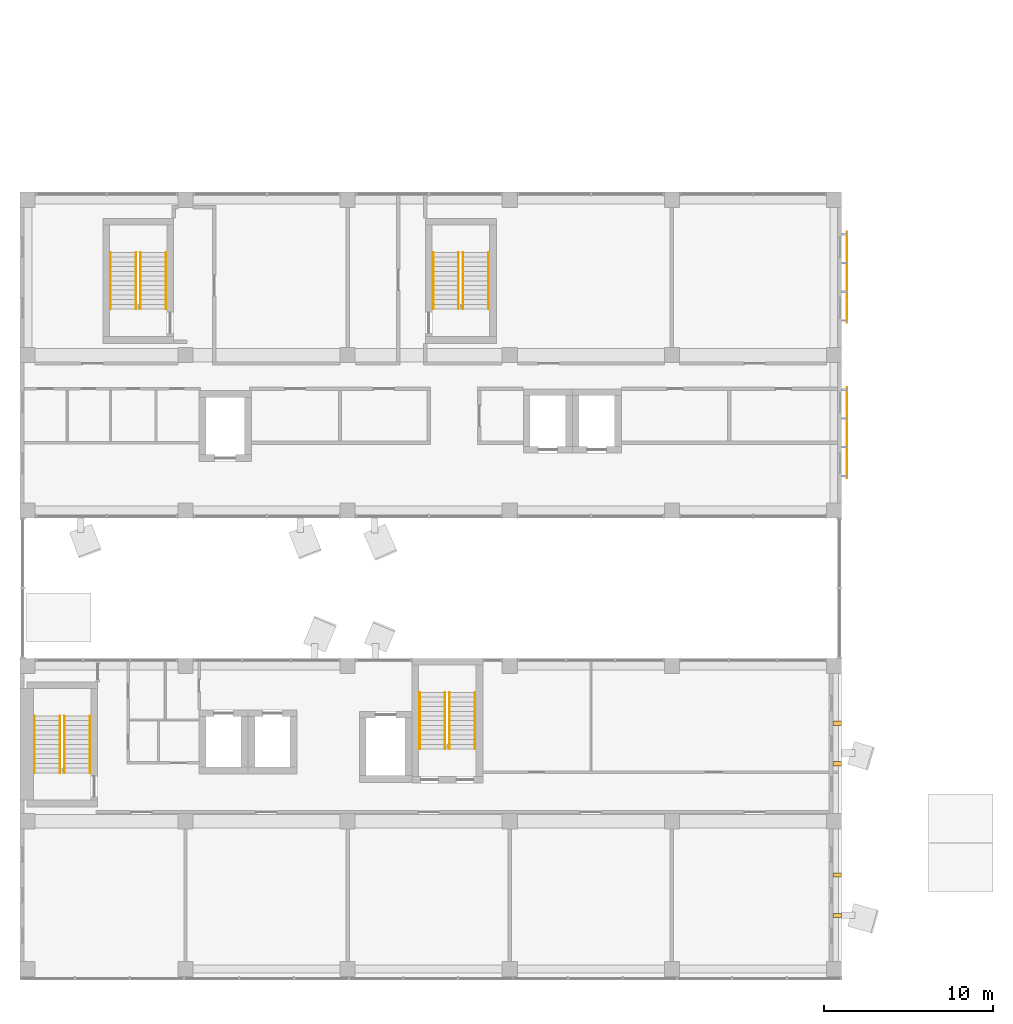
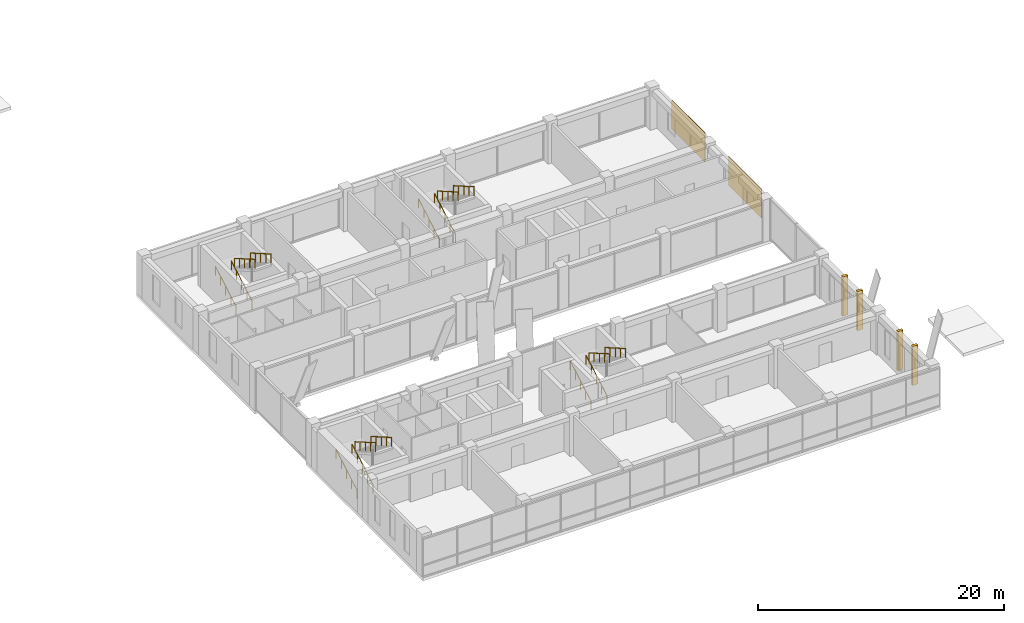
# One storey, part 31 of 36: 16 railings, 6 shading devices.
"""IFC4 building model written with IfcOpenShell, lengths in metres."""

from ifc_helpers import new_model, si_unit, direction, frame, origin, origin_2d, place, context, subcontext, project, spatial, rectangle, circle, extrude, material, type_object, element, save


model = new_model("IFC4")

# Units and contexts
model_context = context("Model", 3, precision=1e-05, world=origin(), true_north=direction((0.0, 1.0)))
body_context = subcontext(model_context, "Body", "Model", "MODEL_VIEW")
ifc_project = project(units=[si_unit("LENGTHUNIT", "METRE"), si_unit("AREAUNIT", "SQUARE_METRE"), si_unit("VOLUMEUNIT", "CUBIC_METRE"), si_unit("PLANEANGLEUNIT", "RADIAN"), si_unit("MASSUNIT", "GRAM", prefix="KILO")], contexts=[model_context])

# Site, building, storey
site_placement = place(None, origin())
site = spatial("IfcSite", under=ifc_project, at=site_placement, CompositionType="ELEMENT")
building_placement = place(site_placement, origin())
building = spatial("IfcBuilding", under=site, at=building_placement, Name="Nzadi Deep Aquarium and Research Tower", CompositionType="ELEMENT")
storey_placement = place(building_placement, frame((0.0, 0.0, 36.10009765625)))
storey = spatial("IfcBuildingStorey", under=building, at=storey_placement, Name="L06", CompositionType="ELEMENT", Elevation=36.10009765625)

# Shading devices
ifc_material_1 = material(Name="Concrete C35/45", Category="concrete")
shading_device_type_1 = type_object("IfcShadingDeviceType", Name="Fin board-formed concrete 250 deep", PredefinedType="USERDEFINED", material=ifc_material_1)
for number, where, z_axis, x_axis, name in (
    (1, (48.199951171875, 3.625, 0.0), (0.0, 0.0, 1.0), (1.0, 0.0, 0.0), "Fin blade A east L06"),
    (2, (48.199951171875, 6.02490234375, 0.0), (0.0, 0.0, 1.0), (1.0, 0.0, 0.0), "Fin blade A east L06"),
    (3, (48.199951171875, 12.60009765625, 0.0), (0.0, 0.0, 1.0), (1.0, 0.0, 0.0), "Fin blade A east L06"),
    (4, (48.199951171875, 15.0, 0.0), (0.0, 0.0, 1.0), (1.0, 0.0, 0.0), "Fin blade A east L06"),
):
    element("IfcShadingDevice", number, at=place(storey_placement, frame(where, z_axis=z_axis, x_axis=x_axis)), inside=storey, type_object=shading_device_type_1, Name=name, ObjectType="Fin", PredefinedType="USERDEFINED", context=body_context, shape_type="SweptSolid", body=[
        extrude(rectangle(XDim=0.5, YDim=0.25, at=origin_2d()), origin(), (0.0, 0.0, 1.0), 3.89990234375),
    ])

# Railings
ifc_material_2 = material(Name="Stainless steel 1.4301", Category="steel")
railing_type = type_object("IfcRailingType", Name="HANDRAIL 900", PredefinedType="HANDRAIL", material=ifc_material_2)
for number, where, name in (
    (5, (0.659912109375, 12.070068359375, 0.161376953125), "HR-ST-Z1-SW-L06-F1"),
    (6, (2.1650390625, 12.070068359375, 0.161376953125), "HR-ST-Z1-SW-L06-F1W"),
):
    element("IfcRailing", number, at=place(storey_placement, frame(where)), inside=storey, type_object=railing_type, Name=name, PredefinedType="HANDRAIL", context=body_context, shape_type="SweptSolid", body=[
        extrude(circle(Radius=0.02392578125, at=origin_2d()), frame((0.0, 0.0, 0.8759765625), z_axis=(0.0, 0.866175107563, 0.499740615757), x_axis=(-1.0, 0.0, 0.0)), (0.0, 0.0, 1.0), 3.87890625),
        extrude(circle(Radius=0.02099609375, at=origin_2d()), origin(), (0.0, 0.0, 1.0), 0.851806640625),
        extrude(circle(Radius=0.02099609375, at=origin_2d()), frame((0.0, 0.83984375, 0.484619140625)), (0.0, 0.0, 1.0), 0.851806640625),
        extrude(circle(Radius=0.02099609375, at=origin_2d()), frame((0.0, 1.679931640625, 0.96923828125)), (0.0, 0.0, 1.0), 0.851806640625),
        extrude(circle(Radius=0.02099609375, at=origin_2d()), frame((0.0, 2.52001953125, 1.453857421875)), (0.0, 0.0, 1.0), 0.851806640625),
        extrude(circle(Radius=0.02099609375, at=origin_2d()), frame((0.0, 3.35986328125, 1.9384765625)), (0.0, 0.0, 1.0), 0.851806640625),
    ])
for number, where, name in (
    (7, (3.93994140625, 15.429931640625, 2.261474609375), "HR-ST-Z1-SW-L06-F2"),
    (8, (2.43505859375, 15.429931640625, 2.261474609375), "HR-ST-Z1-SW-L06-F2W"),
):
    element("IfcRailing", number, at=place(storey_placement, frame(where)), inside=storey, type_object=railing_type, Name=name, PredefinedType="HANDRAIL", context=body_context, shape_type="SweptSolid", body=[
        extrude(circle(Radius=0.02392578125, at=origin_2d()), frame((0.0, 0.0, 0.8759765625), z_axis=(0.0, -0.866175107563, 0.499740615757), x_axis=(1.0, 0.0, 0.0)), (0.0, 0.0, 1.0), 3.87890625),
        extrude(circle(Radius=0.02099609375, at=origin_2d()), origin(), (0.0, 0.0, 1.0), 0.851806640625),
        extrude(circle(Radius=0.02099609375, at=origin_2d()), frame((0.0, -0.83984375, 0.484619140625)), (0.0, 0.0, 1.0), 0.851806640625),
        extrude(circle(Radius=0.02099609375, at=origin_2d()), frame((0.0, -1.679931640625, 0.96923828125)), (0.0, 0.0, 1.0), 0.851806640625),
        extrude(circle(Radius=0.02099609375, at=origin_2d()), frame((0.0, -2.52001953125, 1.453857421875)), (0.0, 0.0, 1.0), 0.851806640625),
        extrude(circle(Radius=0.02099609375, at=origin_2d()), frame((0.0, -3.35986328125, 1.9384765625)), (0.0, 0.0, 1.0), 0.851806640625),
    ])
for number, where, name in (
    (9, (23.4599609375, 13.469970703125, 0.161376953125), "HR-ST-Z1-SE-L06-F1"),
    (10, (24.965087890625, 13.469970703125, 0.161376953125), "HR-ST-Z1-SE-L06-F1W"),
):
    element("IfcRailing", number, at=place(storey_placement, frame(where)), inside=storey, type_object=railing_type, Name=name, PredefinedType="HANDRAIL", context=body_context, shape_type="SweptSolid", body=[
        extrude(circle(Radius=0.02392578125, at=origin_2d()), frame((0.0, 0.0, 0.8759765625), z_axis=(0.0, 0.866190824863, 0.499713372768), x_axis=(-1.0, 0.0, 0.0)), (0.0, 0.0, 1.0), 3.879150390625),
        extrude(circle(Radius=0.02099609375, at=origin_2d()), origin(), (0.0, 0.0, 1.0), 0.851806640625),
        extrude(circle(Radius=0.02099609375, at=origin_2d()), frame((0.0, 0.840087890625, 0.484619140625)), (0.0, 0.0, 1.0), 0.851806640625),
        extrude(circle(Radius=0.02099609375, at=origin_2d()), frame((0.0, 1.68017578125, 0.96923828125)), (0.0, 0.0, 1.0), 0.851806640625),
        extrude(circle(Radius=0.02099609375, at=origin_2d()), frame((0.0, 2.52001953125, 1.453857421875)), (0.0, 0.0, 1.0), 0.851806640625),
        extrude(circle(Radius=0.02099609375, at=origin_2d()), frame((0.0, 3.360107421875, 1.9384765625)), (0.0, 0.0, 1.0), 0.851806640625),
    ])
for number, where, name in (
    (11, (26.739990234375, 16.830078125, 2.261474609375), "HR-ST-Z1-SE-L06-F2"),
    (12, (25.235107421875, 16.830078125, 2.261474609375), "HR-ST-Z1-SE-L06-F2W"),
):
    element("IfcRailing", number, at=place(storey_placement, frame(where)), inside=storey, type_object=railing_type, Name=name, PredefinedType="HANDRAIL", context=body_context, shape_type="SweptSolid", body=[
        extrude(circle(Radius=0.02392578125, at=origin_2d()), frame((0.0, 0.0, 0.8759765625), z_axis=(0.0, -0.866190824863, 0.499713372768), x_axis=(1.0, 0.0, 0.0)), (0.0, 0.0, 1.0), 3.879150390625),
        extrude(circle(Radius=0.02099609375, at=origin_2d()), origin(), (0.0, 0.0, 1.0), 0.851806640625),
        extrude(circle(Radius=0.02099609375, at=origin_2d()), frame((0.0, -0.840087890625, 0.484619140625)), (0.0, 0.0, 1.0), 0.851806640625),
        extrude(circle(Radius=0.02099609375, at=origin_2d()), frame((0.0, -1.68017578125, 0.96923828125)), (0.0, 0.0, 1.0), 0.851806640625),
        extrude(circle(Radius=0.02099609375, at=origin_2d()), frame((0.0, -2.52001953125, 1.453857421875)), (0.0, 0.0, 1.0), 0.851806640625),
        extrude(circle(Radius=0.02099609375, at=origin_2d()), frame((0.0, -3.360107421875, 1.9384765625)), (0.0, 0.0, 1.0), 0.851806640625),
    ])
for number, where, name in (
    (13, (5.159912109375, 39.52001953125, 0.161376953125), "HR-ST-Z1-NW-L06-F1"),
    (14, (6.6650390625, 39.52001953125, 0.161376953125), "HR-ST-Z1-NW-L06-F1W"),
):
    element("IfcRailing", number, at=place(storey_placement, frame(where)), inside=storey, type_object=railing_type, Name=name, PredefinedType="HANDRAIL", context=body_context, shape_type="SweptSolid", body=[
        extrude(circle(Radius=0.02392578125, at=origin_2d()), frame((0.0, 0.0, 0.8759765625), z_axis=(0.0, 0.866175107563, 0.499740615757), x_axis=(-1.0, 0.0, 0.0)), (0.0, 0.0, 1.0), 3.87890625),
        extrude(circle(Radius=0.02099609375, at=origin_2d()), origin(), (0.0, 0.0, 1.0), 0.851806640625),
        extrude(circle(Radius=0.02099609375, at=origin_2d()), frame((0.0, 0.83984375, 0.484619140625)), (0.0, 0.0, 1.0), 0.851806640625),
        extrude(circle(Radius=0.02099609375, at=origin_2d()), frame((0.0, 1.679931640625, 0.96923828125)), (0.0, 0.0, 1.0), 0.851806640625),
        extrude(circle(Radius=0.02099609375, at=origin_2d()), frame((0.0, 2.52001953125, 1.453857421875)), (0.0, 0.0, 1.0), 0.851806640625),
        extrude(circle(Radius=0.02099609375, at=origin_2d()), frame((0.0, 3.35986328125, 1.9384765625)), (0.0, 0.0, 1.0), 0.851806640625),
    ])
for number, where, name in (
    (15, (8.43994140625, 42.8798828125, 2.261474609375), "HR-ST-Z1-NW-L06-F2"),
    (16, (6.93505859375, 42.8798828125, 2.261474609375), "HR-ST-Z1-NW-L06-F2W"),
):
    element("IfcRailing", number, at=place(storey_placement, frame(where)), inside=storey, type_object=railing_type, Name=name, PredefinedType="HANDRAIL", context=body_context, shape_type="SweptSolid", body=[
        extrude(circle(Radius=0.02392578125, at=origin_2d()), frame((0.0, 0.0, 0.8759765625), z_axis=(0.0, -0.866175107563, 0.499740615757), x_axis=(1.0, 0.0, 0.0)), (0.0, 0.0, 1.0), 3.87890625),
        extrude(circle(Radius=0.02099609375, at=origin_2d()), origin(), (0.0, 0.0, 1.0), 0.851806640625),
        extrude(circle(Radius=0.02099609375, at=origin_2d()), frame((0.0, -0.83984375, 0.484619140625)), (0.0, 0.0, 1.0), 0.851806640625),
        extrude(circle(Radius=0.02099609375, at=origin_2d()), frame((0.0, -1.679931640625, 0.96923828125)), (0.0, 0.0, 1.0), 0.851806640625),
        extrude(circle(Radius=0.02099609375, at=origin_2d()), frame((0.0, -2.52001953125, 1.453857421875)), (0.0, 0.0, 1.0), 0.851806640625),
        extrude(circle(Radius=0.02099609375, at=origin_2d()), frame((0.0, -3.35986328125, 1.9384765625)), (0.0, 0.0, 1.0), 0.851806640625),
    ])
for number, where, name in (
    (17, (24.260009765625, 39.52001953125, 0.161376953125), "HR-ST-Z1-NE-L06-F1"),
    (18, (25.764892578125, 39.52001953125, 0.161376953125), "HR-ST-Z1-NE-L06-F1W"),
):
    element("IfcRailing", number, at=place(storey_placement, frame(where)), inside=storey, type_object=railing_type, Name=name, PredefinedType="HANDRAIL", context=body_context, shape_type="SweptSolid", body=[
        extrude(circle(Radius=0.02392578125, at=origin_2d()), frame((0.0, 0.0, 0.8759765625), z_axis=(0.0, 0.866175107563, 0.499740615757), x_axis=(-1.0, 0.0, 0.0)), (0.0, 0.0, 1.0), 3.87890625),
        extrude(circle(Radius=0.02099609375, at=origin_2d()), origin(), (0.0, 0.0, 1.0), 0.851806640625),
        extrude(circle(Radius=0.02099609375, at=origin_2d()), frame((0.0, 0.83984375, 0.484619140625)), (0.0, 0.0, 1.0), 0.851806640625),
        extrude(circle(Radius=0.02099609375, at=origin_2d()), frame((0.0, 1.679931640625, 0.96923828125)), (0.0, 0.0, 1.0), 0.851806640625),
        extrude(circle(Radius=0.02099609375, at=origin_2d()), frame((0.0, 2.52001953125, 1.453857421875)), (0.0, 0.0, 1.0), 0.851806640625),
        extrude(circle(Radius=0.02099609375, at=origin_2d()), frame((0.0, 3.35986328125, 1.9384765625)), (0.0, 0.0, 1.0), 0.851806640625),
    ])
for number, where, name in (
    (19, (27.5400390625, 42.8798828125, 2.261474609375), "HR-ST-Z1-NE-L06-F2"),
    (20, (26.034912109375, 42.8798828125, 2.261474609375), "HR-ST-Z1-NE-L06-F2W"),
):
    element("IfcRailing", number, at=place(storey_placement, frame(where)), inside=storey, type_object=railing_type, Name=name, PredefinedType="HANDRAIL", context=body_context, shape_type="SweptSolid", body=[
        extrude(circle(Radius=0.02392578125, at=origin_2d()), frame((0.0, 0.0, 0.8759765625), z_axis=(0.0, -0.866175107563, 0.499740615757), x_axis=(1.0, 0.0, 0.0)), (0.0, 0.0, 1.0), 3.87890625),
        extrude(circle(Radius=0.02099609375, at=origin_2d()), origin(), (0.0, 0.0, 1.0), 0.851806640625),
        extrude(circle(Radius=0.02099609375, at=origin_2d()), frame((0.0, -0.83984375, 0.484619140625)), (0.0, 0.0, 1.0), 0.851806640625),
        extrude(circle(Radius=0.02099609375, at=origin_2d()), frame((0.0, -1.679931640625, 0.96923828125)), (0.0, 0.0, 1.0), 0.851806640625),
        extrude(circle(Radius=0.02099609375, at=origin_2d()), frame((0.0, -2.52001953125, 1.453857421875)), (0.0, 0.0, 1.0), 0.851806640625),
        extrude(circle(Radius=0.02099609375, at=origin_2d()), frame((0.0, -3.35986328125, 1.9384765625)), (0.0, 0.0, 1.0), 0.851806640625),
    ])

# Shading devices
ifc_material_3 = material(Name="Aluminium perforated sheet", Category="aluminium")
shading_device_type_2 = type_object("IfcShadingDeviceType", Name="Perforated screen 40 mm", PredefinedType="USERDEFINED", material=ifc_material_3)
for number, where, z_axis, x_axis, name in (
    (21, (48.77001953125, 32.199951171875, 0.599853515625), (0.0, 0.0, 1.0), (1.0, 0.0, 0.0), "Perforated screen L06 BE"),
    (22, (48.77001953125, 41.39990234375, 0.599853515625), (0.0, 0.0, 1.0), (1.0, 0.0, 0.0), "Perforated screen L06 BE"),
):
    element("IfcShadingDevice", number, at=place(storey_placement, frame(where, z_axis=z_axis, x_axis=x_axis)), inside=storey, type_object=shading_device_type_2, Name=name, ObjectType="Screen", PredefinedType="USERDEFINED", context=body_context, shape_type="SweptSolid", body=[
        extrude(rectangle(XDim=0.0400390625, YDim=5.39990234375, at=origin_2d()), origin(), (0.0, 0.0, 1.0), 2.89990234375),
    ])

save(model, "model.ifc")
